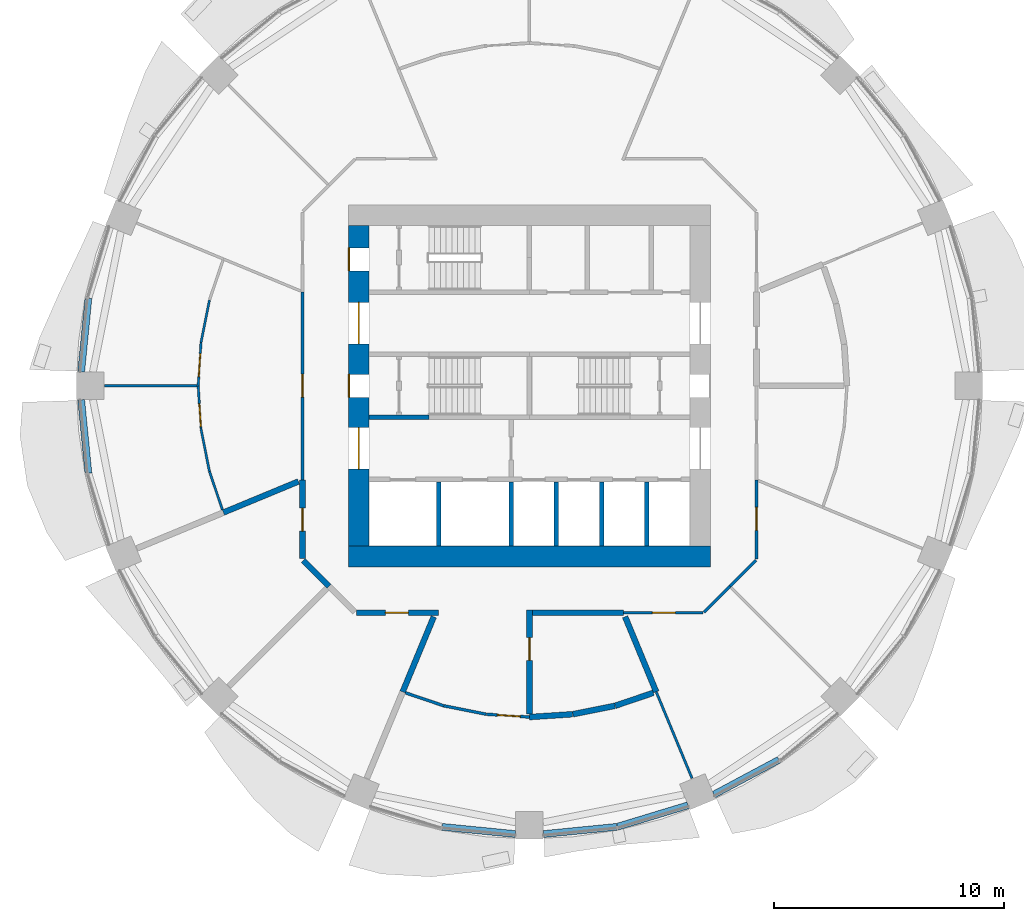
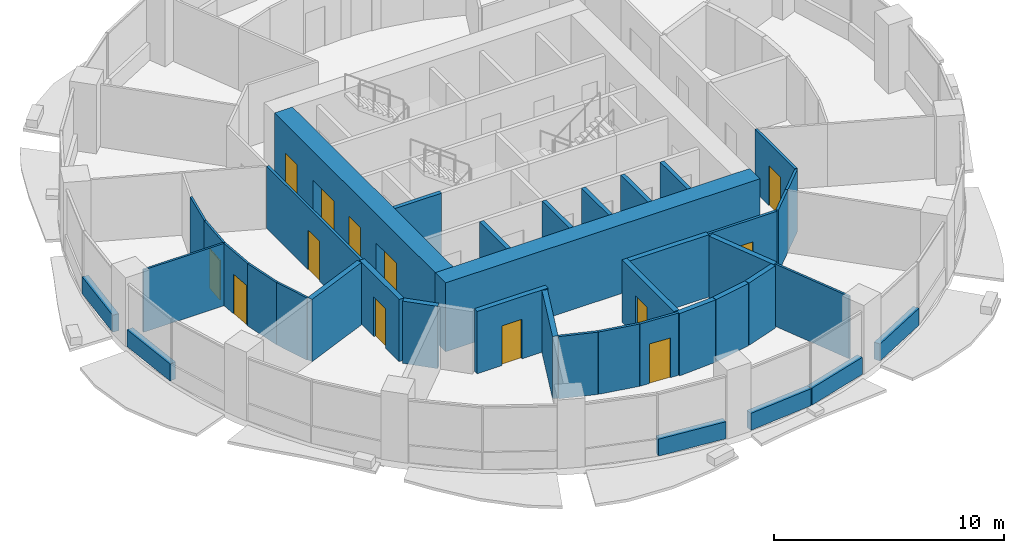
# One storey, part 8 of 15: 40 walls, 13 doors, 13 openings.
"""IFC4 building model written with IfcOpenShell, lengths in metres."""

from ifc_helpers import new_model, si_unit, direction, frame, frame_2d, origin, place, context, subcontext, project, spatial, rectangle, extrude, material, layer, layer_set, type_object, element, fill, save


model = new_model("IFC4")

# Units and contexts
model_context = context("Model", 3, precision=1e-05, world=origin(), true_north=direction((0.0, 1.0)))
body_context = subcontext(model_context, "Body", "Model", "MODEL_VIEW")
ifc_project = project(units=[si_unit("LENGTHUNIT", "METRE"), si_unit("AREAUNIT", "SQUARE_METRE"), si_unit("VOLUMEUNIT", "CUBIC_METRE"), si_unit("PLANEANGLEUNIT", "RADIAN"), si_unit("MASSUNIT", "GRAM", prefix="KILO")], contexts=[model_context])

# Site, building, storey
site_placement = place(None, origin())
site = spatial("IfcSite", under=ifc_project, at=site_placement, CompositionType="ELEMENT")
building_placement = place(site_placement, origin())
building = spatial("IfcBuilding", under=site, at=building_placement, Name="Polderwave Tower", CompositionType="ELEMENT")
storey_placement = place(building_placement, frame((0.0, 0.0, 40.800048828125)))
storey = spatial("IfcBuildingStorey", under=building, at=storey_placement, Name="L10", CompositionType="ELEMENT", Elevation=40.800048828125)

# Wall
ifc_material_1 = material(Name="Concrete C80/95", Category="concrete")
ifc_layer_1 = layer(ifc_material_1, 0.89990234375)
ifc_layer_set_1 = layer_set([ifc_layer_1], Name="CORE WALL 900 C80/95")
wall_type_1 = type_object("IfcWallType", Name="CORE WALL 900 C80/95", PredefinedType="SHEAR", material=ifc_layer_set_1)
wall_1_placement = place(storey_placement, frame((-7.8740234375, -7.424072265625, 0.0), z_axis=(0.0, 0.0, 1.0), x_axis=(1.0, 0.0, 0.0)))
element("IfcWall", 1, at=wall_1_placement, inside=storey, type_object=wall_type_1, Name="ST-CORE-L10-S", PredefinedType="SHEAR", context=body_context, shape_type="SweptSolid", body=[
    extrude(rectangle(XDim=15.748046875, YDim=0.89990234375, at=frame_2d((7.8740234375, 0.0))), origin(), (0.0, 0.0, 1.0), 3.64990234375),
])

# Wall, openings, doors
wall_2_placement = place(storey_placement, frame((-7.424072265625, -6.97412109375, 0.0), z_axis=(0.0, 0.0, 1.0), x_axis=(0.0, 1.0, 0.0)))
wall_2 = element("IfcWall", 2, at=wall_2_placement, inside=storey, type_object=wall_type_1, Name="ST-CORE-L10-W", PredefinedType="SHEAR", context=body_context, shape_type="SweptSolid", body=[
    extrude(rectangle(XDim=13.9482421875, YDim=0.89990234375, at=frame_2d((6.97412109375, 0.0))), origin(), (0.0, 0.0, 1.0), 3.64990234375),
])
opening_1_placement = place(wall_2_placement, frame((6.47412109375, 0.0, 0.0)))
opening_1 = element("IfcOpeningElement", 3, at=opening_1_placement, cuts=wall_2, Name="Opening L10-D17", PredefinedType="OPENING", context=body_context, shape_type="SweptSolid", body=[
    extrude(rectangle(XDim=1.0, YDim=2.10009765625, at=frame_2d((0.5, 1.050048828125))), frame((0.0, 0.4599609375, 0.0), z_axis=(0.0, -1.0, 0.0), x_axis=(1.0, 0.0, 0.0)), (0.0, 0.0, 1.0), 0.919921875),
])
opening_2_placement = place(wall_2_placement, frame((3.349609375, 0.0, 0.0)))
opening_2 = element("IfcOpeningElement", 4, at=opening_2_placement, cuts=wall_2, Name="Opening L10-D18", PredefinedType="OPENING", context=body_context, shape_type="SweptSolid", body=[
    extrude(rectangle(XDim=1.800048828125, YDim=2.10009765625, at=frame_2d((0.89990234375, 1.050048828125))), frame((0.0, 0.4599609375, 0.0), z_axis=(0.0, -1.0, 0.0), x_axis=(1.0, 0.0, 0.0)), (0.0, 0.0, 1.0), 0.919921875),
])
opening_3_placement = place(wall_2_placement, frame((8.798583984375, 0.0, 0.0)))
opening_3 = element("IfcOpeningElement", 5, at=opening_3_placement, cuts=wall_2, Name="Opening L10-D19", PredefinedType="OPENING", context=body_context, shape_type="SweptSolid", body=[
    extrude(rectangle(XDim=1.800048828125, YDim=2.10009765625, at=frame_2d((0.89990234375, 1.050048828125))), frame((0.0, 0.4599609375, 0.0), z_axis=(0.0, -1.0, 0.0), x_axis=(1.0, 0.0, 0.0)), (0.0, 0.0, 1.0), 0.919921875),
])
opening_4_placement = place(wall_2_placement, frame((11.97412109375, 0.0, 0.0)))
opening_4 = element("IfcOpeningElement", 6, at=opening_4_placement, cuts=wall_2, Name="Opening L10-D20", PredefinedType="OPENING", context=body_context, shape_type="SweptSolid", body=[
    extrude(rectangle(XDim=1.0, YDim=2.10009765625, at=frame_2d((0.5, 1.050048828125))), frame((0.0, 0.4599609375, 0.0), z_axis=(0.0, -1.0, 0.0), x_axis=(1.0, 0.0, 0.0)), (0.0, 0.0, 1.0), 0.919921875),
])
ifc_material_2 = material(Name="Steel fire door", Category="steel")
door_type_1 = type_object("IfcDoorType", Name="Lobby entry door pair 1800", OperationType="DOUBLE_DOOR_SINGLE_SWING", PredefinedType="DOOR", material=ifc_material_2)
door_1_placement = place(opening_2_placement, origin())
door_1 = element("IfcDoor", 7, at=door_1_placement, inside=storey, type_object=door_type_1, Name="Fire-fighting lobby entry door", OperationType="DOUBLE_DOOR_SINGLE_SWING", OverallHeight=2.10009765625, OverallWidth=1.800048828125, PredefinedType="DOOR", context=body_context, shape_type="SweptSolid", body=[
    extrude(rectangle(XDim=1.800048828125, YDim=2.10009765625, at=frame_2d((0.89990234375, 1.050048828125))), frame((0.0, 0.02490234375, 0.0), z_axis=(0.0, -1.0, 0.0), x_axis=(1.0, 0.0, 0.0)), (0.0, 0.0, 1.0), 0.050048828125),
])
fill(opening_2, door_1)
door_2_placement = place(opening_3_placement, origin())
door_2 = element("IfcDoor", 8, at=door_2_placement, inside=storey, type_object=door_type_1, Name="North lobby entry door", OperationType="DOUBLE_DOOR_SINGLE_SWING", OverallHeight=2.10009765625, OverallWidth=1.800048828125, PredefinedType="DOOR", context=body_context, shape_type="SweptSolid", body=[
    extrude(rectangle(XDim=1.800048828125, YDim=2.10009765625, at=frame_2d((0.89990234375, 1.050048828125))), frame((0.0, 0.02490234375, 0.0), z_axis=(0.0, -1.0, 0.0), x_axis=(1.0, 0.0, 0.0)), (0.0, 0.0, 1.0), 0.050048828125),
])
fill(opening_3, door_2)
door_type_2 = type_object("IfcDoorType", Name="Stair door 1000", OperationType="NOTDEFINED", PredefinedType="DOOR", material=ifc_material_2)
door_3_placement = place(opening_1_placement, origin())
door_3 = element("IfcDoor", 9, at=door_3_placement, inside=storey, type_object=door_type_2, Name="Stair A entry door", OperationType="SINGLE_SWING_RIGHT", OverallHeight=2.10009765625, OverallWidth=1.0, PredefinedType="DOOR", context=body_context, shape_type="SweptSolid", body=[
    extrude(rectangle(XDim=1.0, YDim=2.10009765625, at=frame_2d((0.5, 1.050048828125))), frame((0.0, 0.4501953125, 0.0), z_axis=(0.0, -1.0, 0.0), x_axis=(1.0, 0.0, 0.0)), (0.0, 0.0, 1.0), 0.050048828125),
])
fill(opening_1, door_3)
door_4_placement = place(opening_4_placement, origin())
door_4 = element("IfcDoor", 10, at=door_4_placement, inside=storey, type_object=door_type_2, Name="Stair C entry door", OperationType="SINGLE_SWING_RIGHT", OverallHeight=2.10009765625, OverallWidth=1.0, PredefinedType="DOOR", context=body_context, shape_type="SweptSolid", body=[
    extrude(rectangle(XDim=1.0, YDim=2.10009765625, at=frame_2d((0.5, 1.050048828125))), frame((0.0, 0.4501953125, 0.0), z_axis=(0.0, -1.0, 0.0), x_axis=(1.0, 0.0, 0.0)), (0.0, 0.0, 1.0), 0.050048828125),
])
fill(opening_4, door_4)

# Walls
ifc_material_3 = material(Name="Concrete C50/60 (board-marked)", Category="concrete")
ifc_layer_2 = layer(ifc_material_3, 0.300048828125)
ifc_layer_set_2 = layer_set([ifc_layer_2], Name="Concrete spandrel upstand C50/60")
wall_type_2 = type_object("IfcWallType", Name="Concrete spandrel upstand C50/60", PredefinedType="SOLIDWALL", material=ifc_layer_set_2)
for number, where, z_axis, x_axis, name in (
    (11, (-19.185546875, 3.801025390625, 0.0), (0.0, 0.0, 1.0), (-0.098002102993, -0.995186207606, 0.0), "Spandrel L10 8b"),
    (12, (-19.49951171875, -0.61279296875, 0.0), (0.0, 0.0, 1.0), (0.098002102993, -0.995186207606, 0.0), "Spandrel L10 9a"),
    (13, (-3.801025390625, -19.185546875, 0.0), (0.0, 0.0, 1.0), (0.995186207606, -0.098002102993, 0.0), "Spandrel L10 12b"),
    (14, (0.61279296875, -19.49951171875, 0.0), (0.0, 0.0, 1.0), (0.995186207606, 0.098002102993, 0.0), "Spandrel L10 13a"),
):
    element("IfcWall", number, at=place(storey_placement, frame(where, z_axis=z_axis, x_axis=x_axis)), inside=storey, type_object=wall_type_2, Name=name, PredefinedType="SOLIDWALL", context=body_context, shape_type="SweptSolid", body=[
        extrude(rectangle(XDim=3.20361328125, YDim=0.300048828125, at=frame_2d((1.601806640625, 0.0))), origin(), (0.0, 0.0, 1.0), 0.89990234375),
    ])
wall_3_placement = place(storey_placement, frame((3.830322265625, -19.1796875, 0.0), z_axis=(0.0, 0.0, 1.0), x_axis=(0.956883225512, 0.290472877795, 0.0)))
element("IfcWall", 15, at=wall_3_placement, inside=storey, type_object=wall_type_2, Name="Spandrel L10 13b", PredefinedType="SOLIDWALL", context=body_context, shape_type="SweptSolid", body=[
    extrude(rectangle(XDim=3.202392578125, YDim=0.300048828125, at=frame_2d((1.60107421875, 0.0))), origin(), (0.0, 0.0, 1.0), 0.89990234375),
])
wall_4_placement = place(storey_placement, frame((8.0283203125, -17.77978515625, 0.0), z_axis=(0.0, 0.0, 1.0), x_axis=(0.881981372243, 0.471284265614, 0.0)))
element("IfcWall", 16, at=wall_4_placement, inside=storey, type_object=wall_type_2, Name="Spandrel L10 14a", PredefinedType="SOLIDWALL", context=body_context, shape_type="SweptSolid", body=[
    extrude(rectangle(XDim=3.20361328125, YDim=0.300048828125, at=frame_2d((1.601806640625, 0.0))), origin(), (0.0, 0.0, 1.0), 0.89990234375),
])
ifc_material_4 = material(Name="Concrete C50/60", Category="concrete")
ifc_layer_3 = layer(ifc_material_4, 0.199951171875)
ifc_layer_set_3 = layer_set([ifc_layer_3], Name="Core web wall 200")
wall_type_3 = type_object("IfcWallType", Name="Core web wall 200", PredefinedType="SHEAR", material=ifc_layer_set_3)
wall_5_placement = place(storey_placement, frame((-6.97412109375, -1.375, 0.0), z_axis=(0.0, 0.0, 1.0), x_axis=(1.0, 0.0, 0.0)))
element("IfcWall", 17, at=wall_5_placement, inside=storey, type_object=wall_type_3, Name="L10 south stair wall 1", PredefinedType="SHEAR", context=body_context, shape_type="SweptSolid", body=[
    extrude(rectangle(XDim=2.60009765625, YDim=0.199951171875, at=frame_2d((1.300048828125, 0.0))), origin(), (0.0, 0.0, 1.0), 3.300048828125),
])
ifc_material_5 = material(Name="Fire-resisting board on steel studs", Category="steel")
ifc_layer_4 = layer(ifc_material_5, 0.125)
ifc_layer_set_4 = layer_set([ifc_layer_4], Name="Corridor wall 125 mm EI 60")
wall_type_4 = type_object("IfcWallType", Name="Corridor wall 125 mm EI 60", PredefinedType="PARTITIONING", material=ifc_layer_set_4)
wall_6_placement = place(storey_placement, frame((9.855712890625, -7.58935546875, 0.0), z_axis=(0.0, 0.0, 1.0), x_axis=(-0.70718294931, -0.707030604857, 0.0)))
element("IfcWall", 18, at=wall_6_placement, inside=storey, type_object=wall_type_4, Name="IN-L10-W004", PredefinedType="PARTITIONING", context=body_context, shape_type="SweptSolid", body=[
    extrude(rectangle(XDim=1.6025390625, YDim=0.125, at=frame_2d((0.80126953125, 0.0))), origin(), (0.0, 0.0, 1.0), 3.300048828125),
])

# Wall, opening, door
wall_7_placement = place(storey_placement, frame((9.8740234375, -4.08984375, 0.0), z_axis=(0.0, 0.0, 1.0), x_axis=(0.0, -1.0, 0.0)))
wall_7 = element("IfcWall", 19, at=wall_7_placement, inside=storey, type_object=wall_type_4, Name="IN-L10-W005", PredefinedType="PARTITIONING", context=body_context, shape_type="SweptSolid", body=[
    extrude(rectangle(XDim=3.455322265625, YDim=0.125, at=frame_2d((1.7275390625, 0.0))), origin(), (0.0, 0.0, 1.0), 3.300048828125),
])
opening_5_placement = place(wall_7_placement, frame((1.199951171875, 0.0, 0.0)))
opening_5 = element("IfcOpeningElement", 20, at=opening_5_placement, cuts=wall_7, Name="Opening L10-D52", PredefinedType="OPENING", context=body_context, shape_type="SweptSolid", body=[
    extrude(rectangle(XDim=1.0, YDim=2.10009765625, at=frame_2d((0.5, 1.050048828125))), frame((0.0, 0.072509765625, 0.0), z_axis=(0.0, -1.0, 0.0), x_axis=(1.0, 0.0, 0.0)), (0.0, 0.0, 1.0), 0.14501953125),
])
ifc_material_6 = material(Name="Timber fire door leaf", Category="wood")
door_type_3 = type_object("IfcDoorType", Name="Fire door FD30S 1000 x 2100", OperationType="NOTDEFINED", PredefinedType="DOOR", material=ifc_material_6)
door_5_placement = place(opening_5_placement, origin())
door_5 = element("IfcDoor", 21, at=door_5_placement, inside=storey, type_object=door_type_3, Name="Door L10-D52", OperationType="SINGLE_SWING_LEFT", OverallHeight=2.10009765625, OverallWidth=1.0, PredefinedType="DOOR", context=body_context, shape_type="SweptSolid", body=[
    extrude(rectangle(XDim=1.0, YDim=2.10009765625, at=frame_2d((0.5, 1.050048828125))), frame((0.0, 0.02490234375, 0.0), z_axis=(0.0, -1.0, 0.0), x_axis=(1.0, 0.0, 0.0)), (0.0, 0.0, 1.0), 0.050048828125),
])
fill(opening_5, door_5)

wall_8_placement = place(storey_placement, frame((-9.8740234375, -4.08984375, 0.0), z_axis=(0.0, 0.0, 1.0), x_axis=(0.0, 1.0, 0.0)))
wall_8 = element("IfcWall", 22, at=wall_8_placement, inside=storey, type_object=wall_type_4, Name="IN-L10-W013", PredefinedType="PARTITIONING", context=body_context, shape_type="SweptSolid", body=[
    extrude(rectangle(XDim=8.1796875, YDim=0.125, at=frame_2d((4.08984375, 0.0))), origin(), (0.0, 0.0, 1.0), 3.300048828125),
])
opening_6_placement = place(wall_8_placement, frame((3.60009765625, 0.0, 0.0)))
opening_6 = element("IfcOpeningElement", 23, at=opening_6_placement, cuts=wall_8, Name="Opening L10-D56", PredefinedType="OPENING", context=body_context, shape_type="SweptSolid", body=[
    extrude(rectangle(XDim=1.0, YDim=2.10009765625, at=frame_2d((0.5, 1.050048828125))), frame((0.0, 0.072509765625, 0.0), z_axis=(0.0, -1.0, 0.0), x_axis=(1.0, 0.0, 0.0)), (0.0, 0.0, 1.0), 0.14501953125),
])
door_6_placement = place(opening_6_placement, origin())
door_6 = element("IfcDoor", 24, at=door_6_placement, inside=storey, type_object=door_type_3, Name="Door L10-D56", OperationType="SINGLE_SWING_RIGHT", OverallHeight=2.10009765625, OverallWidth=1.0, PredefinedType="DOOR", context=body_context, shape_type="SweptSolid", body=[
    extrude(rectangle(XDim=1.0, YDim=2.10009765625, at=frame_2d((0.5, 1.050048828125))), frame((0.0, 0.02490234375, 0.0), z_axis=(0.0, -1.0, 0.0), x_axis=(1.0, 0.0, 0.0)), (0.0, 0.0, 1.0), 0.050048828125),
])
fill(opening_6, door_6)

wall_9_placement = place(storey_placement, frame((7.545166015625, -9.8740234375, 0.0), z_axis=(0.0, 0.0, 1.0), x_axis=(-1.0, 0.0, 0.0)))
wall_9 = element("IfcWall", 25, at=wall_9_placement, inside=storey, type_object=wall_type_4, Name="IN-L10-W019", PredefinedType="PARTITIONING", context=body_context, shape_type="SweptSolid", body=[
    extrude(rectangle(XDim=3.455322265625, YDim=0.125, at=frame_2d((1.7275390625, 0.0))), origin(), (0.0, 0.0, 1.0), 3.300048828125),
])
opening_7_placement = place(wall_9_placement, frame((1.199951171875, 0.0, 0.0)))
opening_7 = element("IfcOpeningElement", 26, at=opening_7_placement, cuts=wall_9, Name="Opening L10-D59", PredefinedType="OPENING", context=body_context, shape_type="SweptSolid", body=[
    extrude(rectangle(XDim=1.0, YDim=2.10009765625, at=frame_2d((0.5, 1.050048828125))), frame((0.0, 0.072509765625, 0.0), z_axis=(0.0, -1.0, 0.0), x_axis=(1.0, 0.0, 0.0)), (0.0, 0.0, 1.0), 0.14501953125),
])
door_7_placement = place(opening_7_placement, origin())
door_7 = element("IfcDoor", 27, at=door_7_placement, inside=storey, type_object=door_type_3, Name="Door L10-D59", OperationType="SINGLE_SWING_LEFT", OverallHeight=2.10009765625, OverallWidth=1.0, PredefinedType="DOOR", context=body_context, shape_type="SweptSolid", body=[
    extrude(rectangle(XDim=1.0, YDim=2.10009765625, at=frame_2d((0.5, 1.050048828125))), frame((0.0, 0.02490234375, 0.0), z_axis=(0.0, -1.0, 0.0), x_axis=(1.0, 0.0, 0.0)), (0.0, 0.0, 1.0), 0.050048828125),
])
fill(opening_7, door_7)

# Walls
wall_10_placement = place(storey_placement, frame((8.722412109375, -8.722412109375, 0.0), z_axis=(0.0, 0.0, 1.0), x_axis=(-0.707030604857, -0.70718294931, 0.0)))
element("IfcWall", 28, at=wall_10_placement, inside=storey, type_object=wall_type_4, Name="IN-L10-W020", PredefinedType="PARTITIONING", context=body_context, shape_type="SweptSolid", body=[
    extrude(rectangle(XDim=1.6025390625, YDim=0.125, at=frame_2d((0.80126953125, 0.0))), origin(), (0.0, 0.0, 1.0), 3.300048828125),
])
wall_11_placement = place(storey_placement, frame((-3.7333984375, -13.917724609375, 0.0), z_axis=(0.0, 0.0, 1.0), x_axis=(-0.946926428718, 0.321450367234, 0.0)))
element("IfcWall", 29, at=wall_11_placement, inside=storey, type_object=wall_type_4, Name="IN-L10-W057", PredefinedType="PARTITIONING", context=body_context, shape_type="SweptSolid", body=[
    extrude(rectangle(XDim=1.75146484375, YDim=0.125, at=frame_2d((0.875732421875, 0.0))), origin(), (0.0, 0.0, 1.0), 3.300048828125),
])
wall_12_placement = place(storey_placement, frame((-1.885009765625, -14.285888671875, 0.0), z_axis=(0.0, 0.0, 1.0), x_axis=(-0.980800221705, 0.19501519198, 0.0)))
element("IfcWall", 30, at=wall_12_placement, inside=storey, type_object=wall_type_4, Name="IN-L10-W058", PredefinedType="PARTITIONING", context=body_context, shape_type="SweptSolid", body=[
    extrude(rectangle(XDim=1.876708984375, YDim=0.125, at=frame_2d((0.9384765625, 0.0))), origin(), (0.0, 0.0, 1.0), 3.300048828125),
])

# Wall, opening, door
wall_13_placement = place(storey_placement, frame((0.0, -14.409912109375, 0.0), z_axis=(0.0, 0.0, 1.0), x_axis=(-0.997865971163, 0.065295509756, 0.0)))
wall_13 = element("IfcWall", 31, at=wall_13_placement, inside=storey, type_object=wall_type_4, Name="IN-L10-W059", PredefinedType="PARTITIONING", context=body_context, shape_type="SweptSolid", body=[
    extrude(rectangle(XDim=1.880615234375, YDim=0.125, at=frame_2d((0.9404296875, 0.0))), origin(), (0.0, 0.0, 1.0), 3.300048828125),
])
opening_8_placement = place(wall_13_placement, frame((0.39990234375, 0.0, 0.0)))
opening_8 = element("IfcOpeningElement", 32, at=opening_8_placement, cuts=wall_13, Name="Opening L10-D65", PredefinedType="OPENING", context=body_context, shape_type="SweptSolid", body=[
    extrude(rectangle(XDim=1.0, YDim=2.10009765625, at=frame_2d((0.5, 1.050048828125))), frame((0.0, 0.072509765625, 0.0), z_axis=(0.0, -1.0, 0.0), x_axis=(1.0, 0.0, 0.0)), (0.0, 0.0, 1.0), 0.14501953125),
])
door_8_placement = place(opening_8_placement, origin())
door_8 = element("IfcDoor", 33, at=door_8_placement, inside=storey, type_object=door_type_3, Name="Door L10-D65", OperationType="SINGLE_SWING_LEFT", OverallHeight=2.10009765625, OverallWidth=1.0, PredefinedType="DOOR", context=body_context, shape_type="SweptSolid", body=[
    extrude(rectangle(XDim=1.0, YDim=2.10009765625, at=frame_2d((0.5, 1.050048828125))), frame((0.0, 0.02490234375, 0.0), z_axis=(0.0, -1.0, 0.0), x_axis=(1.0, 0.0, 0.0)), (0.0, 0.0, 1.0), 0.050048828125),
])
fill(opening_8, door_8)

ifc_material_7 = material(Name="Plasterboard on steel studs", Category="steel")
ifc_layer_5 = layer(ifc_material_7, 0.10009765625)
ifc_layer_set_5 = layer_set([ifc_layer_5], Name="Partition 100 mm plasterboard on steel studs")
wall_type_5 = type_object("IfcWallType", Name="Partition 100 mm plasterboard on steel studs", PredefinedType="PARTITIONING", material=ifc_layer_set_5)
wall_14_placement = place(storey_placement, frame((-14.409912109375, 0.0, 0.0), z_axis=(0.0, 0.0, 1.0), x_axis=(0.065390885675, 0.997859725648, 0.0)))
wall_14 = element("IfcWall", 34, at=wall_14_placement, inside=storey, type_object=wall_type_5, Name="IN-L10-W045", PredefinedType="PARTITIONING", context=body_context, shape_type="SweptSolid", body=[
    extrude(rectangle(XDim=1.881591796875, YDim=0.10009765625, at=frame_2d((0.94091796875, 0.0))), origin(), (0.0, 0.0, 1.0), 3.300048828125),
])
opening_9_placement = place(wall_14_placement, frame((0.39990234375, 0.0, 0.0)))
opening_9 = element("IfcOpeningElement", 35, at=opening_9_placement, cuts=wall_14, Name="Opening L10-D63", PredefinedType="OPENING", context=body_context, shape_type="SweptSolid", body=[
    extrude(rectangle(XDim=1.0, YDim=2.10009765625, at=frame_2d((0.5, 1.050048828125))), frame((0.0, 0.06005859375, 0.0), z_axis=(0.0, -1.0, 0.0), x_axis=(1.0, 0.0, 0.0)), (0.0, 0.0, 1.0), 0.1201171875),
])
ifc_material_8 = material(Name="Timber veneer door leaf", Category="wood")
door_type_4 = type_object("IfcDoorType", Name="Single door 1000 x 2100", OperationType="NOTDEFINED", PredefinedType="DOOR", material=ifc_material_8)
door_9_placement = place(opening_9_placement, origin())
door_9 = element("IfcDoor", 36, at=door_9_placement, inside=storey, type_object=door_type_4, Name="Door L10-D63", OperationType="SINGLE_SWING_LEFT", OverallHeight=2.10009765625, OverallWidth=1.0, PredefinedType="DOOR", context=body_context, shape_type="SweptSolid", body=[
    extrude(rectangle(XDim=1.0, YDim=2.10009765625, at=frame_2d((0.5, 1.050048828125))), frame((0.0, 0.02490234375, 0.0), z_axis=(0.0, -1.0, 0.0), x_axis=(1.0, 0.0, 0.0)), (0.0, 0.0, 1.0), 0.050048828125),
])
fill(opening_9, door_9)

# Walls
wall_15_placement = place(storey_placement, frame((-13.919677734375, 3.726318359375, 0.0), z_axis=(0.0, 0.0, 1.0), x_axis=(-0.195091231684, -0.980785099459, 0.0)))
element("IfcWall", 37, at=wall_15_placement, inside=storey, type_object=wall_type_5, Name="IN-L10-W046", PredefinedType="PARTITIONING", context=body_context, shape_type="SweptSolid", body=[
    extrude(rectangle(XDim=1.87841796875, YDim=0.10009765625, at=frame_2d((0.939208984375, 0.0))), origin(), (0.0, 0.0, 1.0), 3.300048828125),
])
wall_16_placement = place(storey_placement, frame((-14.46337890625, 0.0, 0.0), z_axis=(0.0, 0.0, 1.0), x_axis=(-1.0, 0.0, 0.0)))
element("IfcWall", 38, at=wall_16_placement, inside=storey, type_object=wall_type_5, Name="IN-L10-W048", PredefinedType="PARTITIONING", context=body_context, shape_type="SweptSolid", body=[
    extrude(rectangle(XDim=4.0166015625, YDim=0.10009765625, at=frame_2d((2.00830078125, 0.0))), origin(), (0.0, 0.0, 1.0), 3.300048828125),
])

# Wall, opening, door
wall_17_placement = place(storey_placement, frame((-14.286865234375, -1.877685546875, 0.0), z_axis=(0.0, 0.0, 1.0), x_axis=(-0.065390885675, 0.997859725648, 0.0)))
wall_17 = element("IfcWall", 39, at=wall_17_placement, inside=storey, type_object=wall_type_5, Name="IN-L10-W049", PredefinedType="PARTITIONING", context=body_context, shape_type="SweptSolid", body=[
    extrude(rectangle(XDim=1.881591796875, YDim=0.10009765625, at=frame_2d((0.94091796875, 0.0))), origin(), (0.0, 0.0, 1.0), 3.300048828125),
])
opening_10_placement = place(wall_17_placement, frame((0.10009765625, 0.0, 0.0)))
opening_10 = element("IfcOpeningElement", 40, at=opening_10_placement, cuts=wall_17, Name="Opening L10-D64", PredefinedType="OPENING", context=body_context, shape_type="SweptSolid", body=[
    extrude(rectangle(XDim=1.0, YDim=2.10009765625, at=frame_2d((0.5, 1.050048828125))), frame((0.0, 0.06005859375, 0.0), z_axis=(0.0, -1.0, 0.0), x_axis=(1.0, 0.0, 0.0)), (0.0, 0.0, 1.0), 0.1201171875),
])
door_10_placement = place(opening_10_placement, origin())
door_10 = element("IfcDoor", 41, at=door_10_placement, inside=storey, type_object=door_type_4, Name="Door L10-D64", OperationType="SINGLE_SWING_LEFT", OverallHeight=2.10009765625, OverallWidth=1.0, PredefinedType="DOOR", context=body_context, shape_type="SweptSolid", body=[
    extrude(rectangle(XDim=1.0, YDim=2.10009765625, at=frame_2d((0.5, 1.050048828125))), frame((0.0, 0.02490234375, 0.0), z_axis=(0.0, -1.0, 0.0), x_axis=(1.0, 0.0, 0.0)), (0.0, 0.0, 1.0), 0.050048828125),
])
fill(opening_10, door_10)

# Walls
wall_18_placement = place(storey_placement, frame((-13.919677734375, -3.726318359375, 0.0), z_axis=(0.0, 0.0, 1.0), x_axis=(-0.195091231684, 0.980785099459, 0.0)))
element("IfcWall", 42, at=wall_18_placement, inside=storey, type_object=wall_type_5, Name="IN-L10-W050", PredefinedType="PARTITIONING", context=body_context, shape_type="SweptSolid", body=[
    extrude(rectangle(XDim=1.87841796875, YDim=0.10009765625, at=frame_2d((0.939208984375, 0.0))), origin(), (0.0, 0.0, 1.0), 3.300048828125),
])
wall_19_placement = place(storey_placement, frame((-13.3544921875, -5.392578125, 0.0), z_axis=(0.0, 0.0, 1.0), x_axis=(-0.321445771201, 0.946927988908, 0.0)))
element("IfcWall", 43, at=wall_19_placement, inside=storey, type_object=wall_type_5, Name="IN-L10-W051", PredefinedType="PARTITIONING", context=body_context, shape_type="SweptSolid", body=[
    extrude(rectangle(XDim=1.7529296875, YDim=0.10009765625, at=frame_2d((0.87646484375, 0.0))), origin(), (0.0, 0.0, 1.0), 3.300048828125),
])
ifc_material_9 = material(Name="Moisture-resistant board on steel studs, tiled", Category="steel")
ifc_layer_6 = layer(ifc_material_9, 0.10498046875)
ifc_layer_set_6 = layer_set([ifc_layer_6], Name="Partition 105 mm wet room board and tile")
wall_type_6 = type_object("IfcWallType", Name="Partition 105 mm wet room board and tile", PredefinedType="PARTITIONING", material=ifc_layer_set_6)
wall_20_placement = place(storey_placement, frame((5.514404296875, -13.31298828125, 0.0), z_axis=(0.0, 0.0, 1.0), x_axis=(0.382697907061, -0.923873536763, 0.0)))
element("IfcWall", 44, at=wall_20_placement, inside=storey, type_object=wall_type_6, Name="IN-L10-W064", PredefinedType="PARTITIONING", context=body_context, shape_type="SweptSolid", body=[
    extrude(rectangle(XDim=4.070068359375, YDim=0.10498046875, at=frame_2d((2.03515625, 0.0))), origin(), (0.0, 0.0, 1.0), 3.300048828125),
])

# Wall, opening, door
ifc_material_10 = material(Name="Fire-resisting board on steel studs, mineral wool", Category="steel")
ifc_layer_7 = layer(ifc_material_10, 0.25)
ifc_layer_set_7 = layer_set([ifc_layer_7], Name="Plant room wall 250 mm EI 120")
wall_type_7 = type_object("IfcWallType", Name="Plant room wall 250 mm EI 120", PredefinedType="PARTITIONING", material=ifc_layer_set_7)
wall_21_placement = place(storey_placement, frame((-9.8740234375, -7.519287109375, 0.0), z_axis=(0.0, 0.0, 1.0), x_axis=(0.0, 1.0, 0.0)))
wall_21 = element("IfcWall", 45, at=wall_21_placement, inside=storey, type_object=wall_type_7, Name="IN-L10-W014", PredefinedType="PARTITIONING", context=body_context, shape_type="SweptSolid", body=[
    extrude(rectangle(XDim=3.429443359375, YDim=0.25, at=frame_2d((1.71484375, 0.0))), origin(), (0.0, 0.0, 1.0), 3.300048828125),
])
opening_11_placement = place(wall_21_placement, frame((1.199951171875, 0.0, 0.0)))
opening_11 = element("IfcOpeningElement", 46, at=opening_11_placement, cuts=wall_21, Name="Opening L10-D57", PredefinedType="OPENING", context=body_context, shape_type="SweptSolid", body=[
    extrude(rectangle(XDim=1.0, YDim=2.10009765625, at=frame_2d((0.5, 1.050048828125))), frame((0.0, 0.135009765625, 0.0), z_axis=(0.0, -1.0, 0.0), x_axis=(1.0, 0.0, 0.0)), (0.0, 0.0, 1.0), 0.27001953125),
])
ifc_material_11 = material(Name="Steel plant door leaf", Category="steel")
door_type_5 = type_object("IfcDoorType", Name="Plant door FD60 1000 x 2100 steel", OperationType="NOTDEFINED", PredefinedType="DOOR", material=ifc_material_11)
door_11_placement = place(opening_11_placement, origin())
door_11 = element("IfcDoor", 47, at=door_11_placement, inside=storey, type_object=door_type_5, Name="Door L10-D57", OperationType="SINGLE_SWING_LEFT", OverallHeight=2.10009765625, OverallWidth=1.0, PredefinedType="DOOR", context=body_context, shape_type="SweptSolid", body=[
    extrude(rectangle(XDim=1.0, YDim=2.10009765625, at=frame_2d((0.5, 1.050048828125))), frame((0.0, 0.02490234375, 0.0), z_axis=(0.0, -1.0, 0.0), x_axis=(1.0, 0.0, 0.0)), (0.0, 0.0, 1.0), 0.050048828125),
])
fill(opening_11, door_11)

# Wall
wall_22_placement = place(storey_placement, frame((-8.722412109375, -8.722412109375, 0.0), z_axis=(0.0, 0.0, 1.0), x_axis=(-0.707184200224, 0.707029353672, 0.0)))
element("IfcWall", 48, at=wall_22_placement, inside=storey, type_object=wall_type_7, Name="IN-L10-W015", PredefinedType="PARTITIONING", context=body_context, shape_type="SweptSolid", body=[
    extrude(rectangle(XDim=1.57666015625, YDim=0.25, at=frame_2d((0.788330078125, 0.0))), origin(), (0.0, 0.0, 1.0), 3.300048828125),
])

# Wall, opening, door
wall_23_placement = place(storey_placement, frame((-3.96484375, -9.8740234375, 0.0), z_axis=(0.0, 0.0, 1.0), x_axis=(-1.0, 0.0, 0.0)))
wall_23 = element("IfcWall", 49, at=wall_23_placement, inside=storey, type_object=wall_type_7, Name="IN-L10-W017", PredefinedType="PARTITIONING", context=body_context, shape_type="SweptSolid", body=[
    extrude(rectangle(XDim=3.554443359375, YDim=0.25, at=frame_2d((1.77734375, 0.0))), origin(), (0.0, 0.0, 1.0), 3.300048828125),
])
opening_12_placement = place(wall_23_placement, frame((1.300048828125, 0.0, 0.0)))
opening_12 = element("IfcOpeningElement", 50, at=opening_12_placement, cuts=wall_23, Name="Opening L10-D58", PredefinedType="OPENING", context=body_context, shape_type="SweptSolid", body=[
    extrude(rectangle(XDim=1.0, YDim=2.10009765625, at=frame_2d((0.5, 1.050048828125))), frame((0.0, 0.135009765625, 0.0), z_axis=(0.0, -1.0, 0.0), x_axis=(1.0, 0.0, 0.0)), (0.0, 0.0, 1.0), 0.27001953125),
])
door_12_placement = place(opening_12_placement, origin())
door_12 = element("IfcDoor", 51, at=door_12_placement, inside=storey, type_object=door_type_5, Name="Door L10-D58", OperationType="SINGLE_SWING_RIGHT", OverallHeight=2.10009765625, OverallWidth=1.0, PredefinedType="DOOR", context=body_context, shape_type="SweptSolid", body=[
    extrude(rectangle(XDim=1.0, YDim=2.10009765625, at=frame_2d((0.5, 1.050048828125))), frame((0.0, 0.02490234375, 0.0), z_axis=(0.0, -1.0, 0.0), x_axis=(1.0, 0.0, 0.0)), (0.0, 0.0, 1.0), 0.050048828125),
])
fill(opening_12, door_12)

# Walls
wall_24_placement = place(storey_placement, frame((4.08984375, -9.8740234375, 0.0), z_axis=(0.0, 0.0, 1.0), x_axis=(-1.0, 0.0, 0.0)))
element("IfcWall", 52, at=wall_24_placement, inside=storey, type_object=wall_type_7, Name="IN-L10-W018", PredefinedType="PARTITIONING", context=body_context, shape_type="SweptSolid", body=[
    extrude(rectangle(XDim=3.96484375, YDim=0.25, at=frame_2d((1.982421875, 0.0))), origin(), (0.0, 0.0, 1.0), 3.300048828125),
])
for number, where, z_axis, x_axis, name in (
    (53, (-10.046875, -4.16162109375, 0.0), (0.0, 0.0, 1.0), (-0.92388805455, -0.382662857696, 0.0), "IN-L10-W052"),
    (54, (-4.16162109375, -10.046875, 0.0), (0.0, 0.0, 1.0), (-0.382662857696, -0.92388805455, 0.0), "IN-L10-W055"),
):
    element("IfcWall", number, at=place(storey_placement, frame(where, z_axis=z_axis, x_axis=x_axis)), inside=storey, type_object=wall_type_7, Name=name, PredefinedType="PARTITIONING", context=body_context, shape_type="SweptSolid", body=[
        extrude(rectangle(XDim=3.53515625, YDim=0.25, at=frame_2d((1.767578125, 0.0))), origin(), (0.0, 0.0, 1.0), 3.300048828125),
    ])

# Wall, opening, door
wall_25_placement = place(storey_placement, frame((0.0, -9.7490234375, 0.0), z_axis=(0.0, 0.0, 1.0), x_axis=(0.0, -1.0, 0.0)))
wall_25 = element("IfcWall", 55, at=wall_25_placement, inside=storey, type_object=wall_type_7, Name="IN-L10-W060", PredefinedType="PARTITIONING", context=body_context, shape_type="SweptSolid", body=[
    extrude(rectangle(XDim=4.527587890625, YDim=0.25, at=frame_2d((2.263671875, 0.0))), origin(), (0.0, 0.0, 1.0), 3.300048828125),
])
opening_13_placement = place(wall_25_placement, frame((1.199951171875, 0.0, 0.0)))
opening_13 = element("IfcOpeningElement", 56, at=opening_13_placement, cuts=wall_25, Name="Opening L10-D66", PredefinedType="OPENING", context=body_context, shape_type="SweptSolid", body=[
    extrude(rectangle(XDim=1.0, YDim=2.10009765625, at=frame_2d((0.5, 1.050048828125))), frame((0.0, 0.135009765625, 0.0), z_axis=(0.0, -1.0, 0.0), x_axis=(1.0, 0.0, 0.0)), (0.0, 0.0, 1.0), 0.27001953125),
])
door_13_placement = place(opening_13_placement, origin())
door_13 = element("IfcDoor", 57, at=door_13_placement, inside=storey, type_object=door_type_5, Name="Door L10-D66", OperationType="SINGLE_SWING_LEFT", OverallHeight=2.10009765625, OverallWidth=1.0, PredefinedType="DOOR", context=body_context, shape_type="SweptSolid", body=[
    extrude(rectangle(XDim=1.0, YDim=2.10009765625, at=frame_2d((0.5, 1.050048828125))), frame((0.0, 0.02490234375, 0.0), z_axis=(0.0, -1.0, 0.0), x_axis=(1.0, 0.0, 0.0)), (0.0, 0.0, 1.0), 0.050048828125),
])
fill(opening_13, door_13)

# Walls
wall_26_placement = place(storey_placement, frame((0.0, -14.409912109375, 0.0), z_axis=(0.0, 0.0, 1.0), x_axis=(0.997857088285, 0.065431119203, 0.0)))
element("IfcWall", 58, at=wall_26_placement, inside=storey, type_object=wall_type_7, Name="IN-L10-W061", PredefinedType="PARTITIONING", context=body_context, shape_type="SweptSolid", body=[
    extrude(rectangle(XDim=1.876708984375, YDim=0.25, at=frame_2d((0.9384765625, 0.0))), origin(), (0.0, 0.0, 1.0), 3.300048828125),
])
wall_27_placement = place(storey_placement, frame((1.888916015625, -14.28515625, 0.0), z_axis=(0.0, 0.0, 1.0), x_axis=(0.980791158232, 0.195060769847, 0.0)))
element("IfcWall", 59, at=wall_27_placement, inside=storey, type_object=wall_type_7, Name="IN-L10-W062", PredefinedType="PARTITIONING", context=body_context, shape_type="SweptSolid", body=[
    extrude(rectangle(XDim=1.86865234375, YDim=0.25, at=frame_2d((0.934326171875, 0.0))), origin(), (0.0, 0.0, 1.0), 3.300048828125),
])
wall_28_placement = place(storey_placement, frame((3.7373046875, -13.91650390625, 0.0), z_axis=(0.0, 0.0, 1.0), x_axis=(0.946889634804, 0.321558734138, 0.0)))
element("IfcWall", 60, at=wall_28_placement, inside=storey, type_object=wall_type_7, Name="IN-L10-W063", PredefinedType="PARTITIONING", context=body_context, shape_type="SweptSolid", body=[
    extrude(rectangle(XDim=1.7431640625, YDim=0.25, at=frame_2d((0.87158203125, 0.0))), origin(), (0.0, 0.0, 1.0), 3.300048828125),
])
wall_29_placement = place(storey_placement, frame((4.16162109375, -10.046875, 0.0), z_axis=(0.0, 0.0, 1.0), x_axis=(0.382662857696, -0.92388805455, 0.0)))
element("IfcWall", 61, at=wall_29_placement, inside=storey, type_object=wall_type_7, Name="IN-L10-W065", PredefinedType="PARTITIONING", context=body_context, shape_type="SweptSolid", body=[
    extrude(rectangle(XDim=3.53515625, YDim=0.25, at=frame_2d((1.767578125, 0.0))), origin(), (0.0, 0.0, 1.0), 3.300048828125),
])
ifc_material_12 = material(Name="Gypsum shaft wall system")
ifc_layer_8 = layer(ifc_material_12, 0.199951171875)
ifc_layer_set_8 = layer_set([ifc_layer_8], Name="Shaft wall 200")
wall_type_8 = type_object("IfcWallType", Name="Shaft wall 200", PredefinedType="PARTITIONING", material=ifc_layer_set_8)
for number, where, z_axis, x_axis, name in (
    (62, (-3.93701171875, -6.97412109375, 0.0), (0.0, 0.0, 1.0), (0.0, 1.0, 0.0), "L10 fire-fighting shaft wall 1"),
    (63, (-0.800048828125, -6.97412109375, 0.0), (0.0, 0.0, 1.0), (0.0, 1.0, 0.0), "L10 fire-fighting shaft wall 2"),
    (64, (1.16845703125, -6.97412109375, 0.0), (0.0, 0.0, 1.0), (0.0, 1.0, 0.0), "L10 lift shaft wall 1"),
    (65, (3.136962890625, -6.97412109375, 0.0), (0.0, 0.0, 1.0), (0.0, 1.0, 0.0), "L10 lift shaft wall 2"),
    (66, (5.10546875, -6.97412109375, 0.0), (0.0, 0.0, 1.0), (0.0, 1.0, 0.0), "L10 lift shaft wall 3"),
):
    element("IfcWall", number, at=place(storey_placement, frame(where, z_axis=z_axis, x_axis=x_axis)), inside=storey, type_object=wall_type_8, Name=name, PredefinedType="PARTITIONING", context=body_context, shape_type="SweptSolid", body=[
        extrude(rectangle(XDim=2.800048828125, YDim=0.199951171875, at=frame_2d((1.39990234375, 0.0))), origin(), (0.0, 0.0, 1.0), 3.300048828125),
    ])

save(model, "model.ifc")
